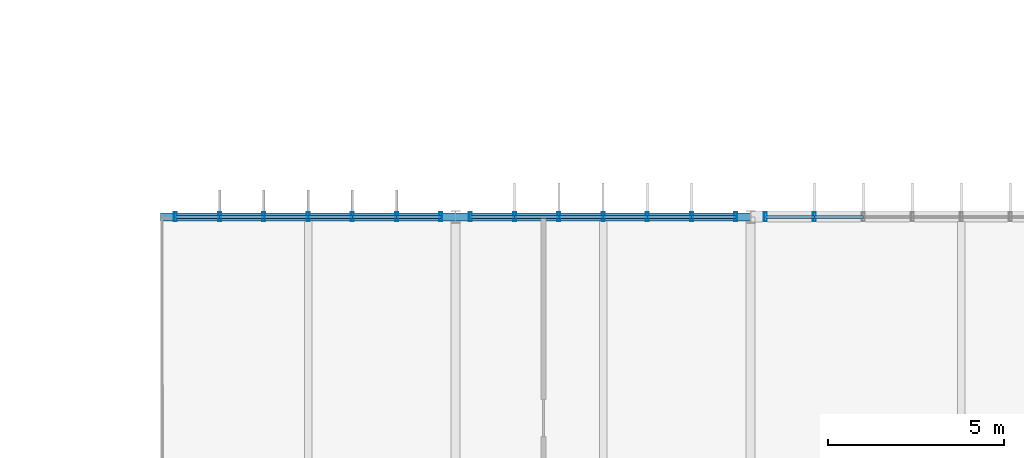
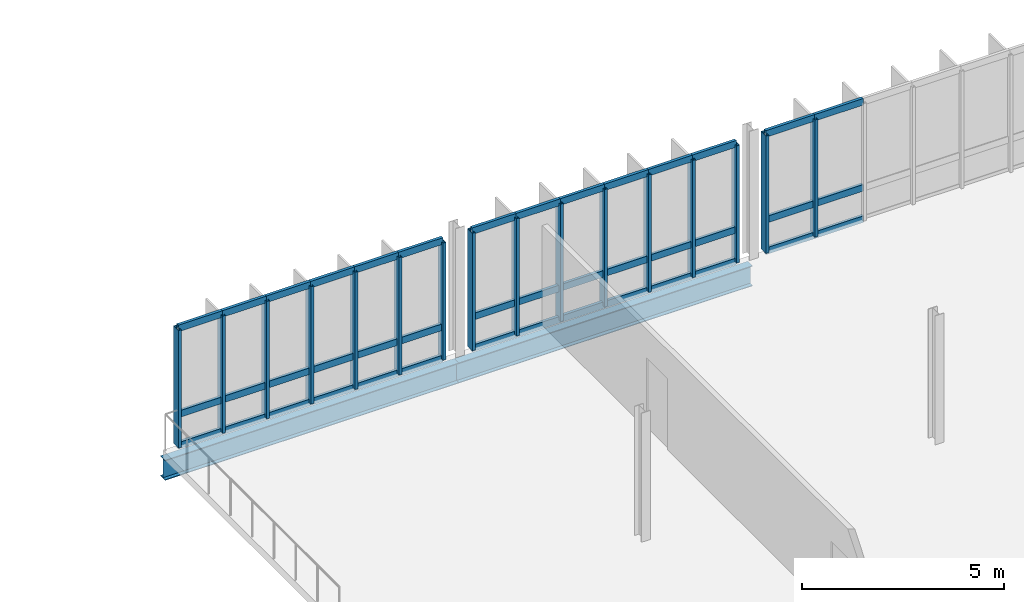
# One storey, part 37 of 61: 58 members, 2 beams, 3 elements without a shape of their own.
"""IFC4 building model written with IfcOpenShell, lengths in metres."""

import ifcopenshell
import ifcopenshell.guid

model = None  # the IFC model being written
_history = None  # IfcOwnerHistory: only IFC2X3 demands one
_inside = {}  # id of a spatial element -> (the spatial element, [elements in it])
_under = {}  # id of a project, library or spatial element -> (it, [spatial elements below it])
_declared = {}  # id of a project -> (the project, [libraries it declares])
_typed = {}  # id of a type object -> (the type object, [elements of that type])
_made_of = {}  # id of a material, layer set ... -> (it, [elements and type objects made of it])


def new_model(schema):
    """Start an empty IFC model of exactly this schema.

    Asked for "IFC4X3", IfcOpenShell would pick the latest addendum, in which some entities
    have other attributes; the version numbers below select the first issue.
    IFC2X3 requires an IfcOwnerHistory on every rooted entity: one is made here for all.
    """
    global model, _history
    if schema == "IFC4X3":
        model = ifcopenshell.file(schema_version=(4, 3, 0, 0))
    else:
        model = ifcopenshell.file(schema=schema)
    _inside.clear()
    _under.clear()
    _declared.clear()
    _typed.clear()
    _made_of.clear()
    _history = None
    if model.schema == "IFC2X3":
        org = make("IfcOrganization", Name="unknown")
        user = make(
            "IfcPersonAndOrganization",
            ThePerson=make("IfcPerson", FamilyName="unknown"),
            TheOrganization=org,
        )
        app = make(
            "IfcApplication",
            ApplicationDeveloper=org,
            Version="unknown",
            ApplicationFullName="unknown",
            ApplicationIdentifier="unknown",
        )
        _history = make(
            "IfcOwnerHistory",
            OwningUser=user,
            OwningApplication=app,
            ChangeAction="ADDED",
            CreationDate=0,
        )
    return model


def make(cls, **values):
    """One entity of the class cls with the attributes given. An attribute that is None is left unset."""
    return model.create_entity(
        cls, **{name: value for name, value in values.items() if value is not None}
    )


def rooted(cls, **values):
    """An entity with a GlobalId (a new one), such as an element, a storey or a relation."""
    return make(cls, GlobalId=ifcopenshell.guid.new(), OwnerHistory=_history, **values)


def si_unit(unit_type, name, prefix=None):
    """IfcSIUnit, for example si_unit("LENGTHUNIT", "METRE", prefix="MILLI")."""
    return make("IfcSIUnit", UnitType=unit_type, Prefix=prefix, Name=name)


def derived_unit(unit_type, elements):
    """IfcDerivedUnit: a product of units, each with its exponent."""
    return make(
        "IfcDerivedUnit",
        Elements=[
            make("IfcDerivedUnitElement", Unit=unit, Exponent=power)
            for unit, power in elements
        ],
        UnitType=unit_type,
    )


def assignment(units):
    """IfcUnitAssignment: the units of a project."""
    return None if units is None else make("IfcUnitAssignment", Units=units)


def point(xyz):
    """IfcCartesianPoint."""
    return None if xyz is None else make("IfcCartesianPoint", Coordinates=xyz)


def direction(xyz):
    """IfcDirection."""
    return None if xyz is None else make("IfcDirection", DirectionRatios=xyz)


def frame(location, z_axis=None, x_axis=None):
    """IfcAxis2Placement3D, a coordinate frame: its origin and axes. An axis left out is left unset."""
    return make(
        "IfcAxis2Placement3D",
        Location=point(location),
        Axis=direction(z_axis),
        RefDirection=direction(x_axis),
    )


def frame_2d(location, x_axis=None):
    """IfcAxis2Placement2D, a coordinate frame in the plane: its origin and x axis."""
    return make(
        "IfcAxis2Placement2D", Location=point(location), RefDirection=direction(x_axis)
    )


def origin():
    """The frame at (0, 0, 0) with its axes left unset."""
    return frame((0.0, 0.0, 0.0))


def origin_2d():
    """The frame at (0, 0) in the plane with its x axis left unset."""
    return frame_2d((0.0, 0.0))


def place(relative_to, where):
    """IfcLocalPlacement: puts the frame where relative to a parent placement (None: the world)."""
    return make(
        "IfcLocalPlacement", PlacementRelTo=relative_to, RelativePlacement=where
    )


def context(
    kind, dimensions, precision=None, world=None, true_north=None, identifier=None
):
    """IfcGeometricRepresentationContext, for example the 3D "Model" context."""
    return make(
        "IfcGeometricRepresentationContext",
        ContextIdentifier=identifier,
        ContextType=kind,
        CoordinateSpaceDimension=dimensions,
        Precision=precision,
        WorldCoordinateSystem=world,
        TrueNorth=true_north,
    )


def subcontext(parent, identifier, kind, view, scale=None):
    """IfcGeometricRepresentationSubContext, for example "Body" below "Model"."""
    return make(
        "IfcGeometricRepresentationSubContext",
        ContextIdentifier=identifier,
        ContextType=kind,
        ParentContext=parent,
        TargetScale=scale,
        TargetView=view,
    )


def project(units=None, contexts=None):
    """IfcProject with its units and contexts."""
    return rooted(
        "IfcProject",
        Name="project",
        RepresentationContexts=contexts,
        UnitsInContext=assignment(units),
    )


def spatial(cls, under=None, at=None, **own):
    """A site, building, storey or space (cls), placed at a placement, below another one or the project."""
    s = rooted(cls, ObjectPlacement=at, **own)
    if under is not None:
        _under.setdefault(under.id(), (under, []))[1].append(s)
    return s


def profile(cls, at=None, kind="AREA", **sizes):
    """A parametric profile (cls). Its sizes go by their IFC names, for example OverallWidth=200.0."""
    return make(cls, ProfileType=kind, Position=at, **sizes)


def hollow_rectangle(**sizes):
    """IfcRectangleHollowProfileDef."""
    return profile("IfcRectangleHollowProfileDef", **sizes)


def i_section(**sizes):
    """IfcIShapeProfileDef."""
    return profile("IfcIShapeProfileDef", **sizes)


def extrude(swept, where, along, depth):
    """IfcExtrudedAreaSolid: the profile swept, set in the frame where, extruded along a direction by depth."""
    return make(
        "IfcExtrudedAreaSolid",
        SweptArea=swept,
        Position=where,
        ExtrudedDirection=direction(along),
        Depth=depth,
    )


def shape(context_of_items, identifier, shape_type, items):
    """IfcShapeRepresentation: the items that make up one representation, for example the "Body"."""
    return make(
        "IfcShapeRepresentation",
        ContextOfItems=context_of_items,
        RepresentationIdentifier=identifier,
        RepresentationType=shape_type,
        Items=items,
    )


def material(Name=None, Category=None):
    """IfcMaterial."""
    return make("IfcMaterial", Name=Name, Category=Category)


def layer(
    of_material, thickness, ventilated=None, Name=None, Category=None, Priority=None
):
    """IfcMaterialLayer: one layer of a wall or slab, of a material (None: an air gap)."""
    return make(
        "IfcMaterialLayer",
        Material=of_material,
        LayerThickness=thickness,
        IsVentilated=ventilated,
        Name=Name,
        Category=Category,
        Priority=Priority,
    )


def layer_set(layers, Name=None):
    """IfcMaterialLayerSet."""
    return make("IfcMaterialLayerSet", MaterialLayers=layers, LayerSetName=Name)


def material_profile(
    of_material, cross_section, Name=None, Category=None, Priority=None
):
    """IfcMaterialProfile: a cross section and its material."""
    return make(
        "IfcMaterialProfile",
        Name=Name,
        Material=of_material,
        Profile=cross_section,
        Priority=Priority,
        Category=Category,
    )


def profile_set(profiles, Name=None, composite=None):
    """IfcMaterialProfileSet."""
    return make(
        "IfcMaterialProfileSet",
        Name=Name,
        MaterialProfiles=profiles,
        CompositeProfile=composite,
    )


def made_of(thing, what):
    """Note that an element or type object is made of a material, layer set ...; save() writes the relation."""
    if what is not None:
        _made_of.setdefault(what.id(), (what, []))[1].append(thing)
    return thing


def type_object(cls, material=None, **own):
    """A type object (cls), such as IfcWallType, which elements share."""
    return made_of(rooted(cls, **own), material)


def element(
    cls,
    number,
    at=None,
    inside=None,
    cuts=None,
    type_object=None,
    material=None,
    context=None,
    identifier="Body",
    shape_type=None,
    held_by="IfcProductDefinitionShape",
    body=None,
    shapes=None,
    **own,
):
    """One element of the class cls, such as IfcWall. Its Tag is "e" and its number.

    at: its placement. inside: the storey or other place that contains it. cuts: it is an
    opening in that element (IfcRelVoidsElement). A single representation is given by context,
    identifier, shape_type and body (its items); several are given by shapes. held_by: the class
    of the entity that holds the representations. save() writes the other relations.
    """
    e = rooted(cls, Tag="e%d" % number, ObjectPlacement=at, **own)
    if body is not None:
        shapes = [shape(context, identifier, shape_type, body)]
    if shapes is not None:
        e.Representation = make(held_by, Representations=shapes)
    if inside is not None:
        _inside.setdefault(inside.id(), (inside, []))[1].append(e)
    if cuts is not None:
        rooted(
            "IfcRelVoidsElement", RelatingBuildingElement=cuts, RelatedOpeningElement=e
        )
    if type_object is not None:
        _typed.setdefault(type_object.id(), (type_object, []))[1].append(e)
    return made_of(e, material)


def aggregate(whole, parts):
    """IfcRelAggregates: a whole, such as a stair, and the parts it consists of."""
    return rooted("IfcRelAggregates", RelatingObject=whole, RelatedObjects=parts)


def save(model, path):
    """Write the relations noted so far, then the file.

    IfcRelAggregates (storeys below a building ...), IfcRelContainedInSpatialStructure (elements
    in a storey), IfcRelDefinesByType, IfcRelAssociatesMaterial and IfcRelDeclares: one each for
    every whole, place, type object, material and project.
    """
    for whole, parts in _under.values():
        aggregate(whole, parts)
    for where, things in _inside.values():
        rooted(
            "IfcRelContainedInSpatialStructure",
            RelatedElements=things,
            RelatingStructure=where,
        )
    for kind, things in _typed.values():
        rooted("IfcRelDefinesByType", RelatedObjects=things, RelatingType=kind)
    for what, things in _made_of.values():
        rooted("IfcRelAssociatesMaterial", RelatedObjects=things, RelatingMaterial=what)
    for by, libraries in _declared.values():
        rooted("IfcRelDeclares", RelatingContext=by, RelatedDefinitions=libraries)
    model.write(path)


model = new_model("IFC4")

# Units and contexts
model_context = context("Model", 3, precision=1e-05, world=origin(), true_north=direction((0.0, 1.0)))
body_context = subcontext(model_context, "Body", "Model", "MODEL_VIEW")
ifc_project = project(units=[si_unit("LENGTHUNIT", "METRE"), si_unit("AREAUNIT", "SQUARE_METRE"), si_unit("VOLUMEUNIT", "CUBIC_METRE"), si_unit("PLANEANGLEUNIT", "RADIAN"), si_unit("MASSUNIT", "GRAM", prefix="KILO"), derived_unit("THERMALTRANSMITTANCEUNIT", [(si_unit("MASSUNIT", "GRAM", prefix="KILO"), 1), (si_unit("TIMEUNIT", "SECOND"), -3), (si_unit("THERMODYNAMICTEMPERATUREUNIT", "KELVIN"), -1)])], contexts=[model_context])

# Site, building, storey
site_placement = place(None, origin())
site = spatial("IfcSite", under=ifc_project, at=site_placement, CompositionType="ELEMENT")
building_placement = place(site_placement, origin())
building = spatial("IfcBuilding", under=site, at=building_placement, Name="Makaiwela Harbour Ferry Terminal", CompositionType="ELEMENT")
storey_placement = place(building_placement, frame((0.0, 0.0, 13.800048828125)))
storey = spatial("IfcBuildingStorey", under=building, at=storey_placement, Name="L03", CompositionType="ELEMENT", Elevation=13.800048828125)

# Curtain wall, members
ifc_material_1 = material(Name="Marine anodised aluminium 6063-T6", Category="aluminium")
ifc_layer_1 = layer(ifc_material_1, 0.199951171875)
ifc_layer_set_1 = layer_set([ifc_layer_1], Name="Marine anodised aluminium 6063-T6")
curtain_wall_type_1 = type_object("IfcCurtainWallType", Name="ENV-CW-15", PredefinedType="USERDEFINED", material=ifc_layer_set_1)
curtain_wall_1_placement = place(storey_placement, origin())
curtain_wall_1 = element("IfcCurtainWall", 1, at=curtain_wall_1_placement, inside=storey, type_object=curtain_wall_type_1, Name="Unitised Curtain Wall CWA-123", ObjectType="UNITIZED CURTAIN WALL", PredefinedType="USERDEFINED")
ifc_material_profile_1 = material_profile(ifc_material_1, hollow_rectangle(XDim=0.0849609375, YDim=0.25, WallThickness=0.0048828125, at=origin_2d()), Name="CWM-250X85")
ifc_profile_set_1 = profile_set([ifc_material_profile_1], Name="Marine anodised aluminium 6063-T6")
member_type_1 = type_object("IfcMemberType", Name="CW-MUL-250", PredefinedType="MULLION", material=ifc_profile_set_1)
member_1_placement = place(storey_placement, frame((139.02001953125, 95.0, 0.0), z_axis=(0.0, 0.0, 1.0), x_axis=(1.0, 0.0, 0.0)))
member_1 = element("IfcMember", 2, at=member_1_placement, type_object=member_type_1, Name="Curtain Wall Mullion CWA-123-1", PredefinedType="MULLION", context=body_context, shape_type="SweptSolid", body=[
    extrude(hollow_rectangle(XDim=0.0849609375, YDim=0.25, WallThickness=0.0048828125, at=origin_2d()), origin(), (0.0, 0.0, 1.0), 3.550048828125),
])
member_2_placement = place(storey_placement, frame((140.280029296875, 95.0, 0.0), z_axis=(0.0, 0.0, 1.0), x_axis=(1.0, 0.0, 0.0)))
member_2 = element("IfcMember", 3, at=member_2_placement, type_object=member_type_1, Name="Curtain Wall Mullion CWA-123-2", PredefinedType="MULLION", context=body_context, shape_type="SweptSolid", body=[
    extrude(hollow_rectangle(XDim=0.0849609375, YDim=0.25, WallThickness=0.0048828125, at=origin_2d()), origin(), (0.0, 0.0, 1.0), 3.550048828125),
])
member_3_placement = place(storey_placement, frame((141.5400390625, 95.0, 0.0), z_axis=(0.0, 0.0, 1.0), x_axis=(1.0, 0.0, 0.0)))
member_3 = element("IfcMember", 4, at=member_3_placement, type_object=member_type_1, Name="Curtain Wall Mullion CWA-123-3", PredefinedType="MULLION", context=body_context, shape_type="SweptSolid", body=[
    extrude(hollow_rectangle(XDim=0.0849609375, YDim=0.25, WallThickness=0.0048828125, at=origin_2d()), origin(), (0.0, 0.0, 1.0), 3.550048828125),
])
member_4_placement = place(storey_placement, frame((142.800048828125, 95.0, 0.0), z_axis=(0.0, 0.0, 1.0), x_axis=(1.0, 0.0, 0.0)))
member_4 = element("IfcMember", 5, at=member_4_placement, type_object=member_type_1, Name="Curtain Wall Mullion CWA-123-4", PredefinedType="MULLION", context=body_context, shape_type="SweptSolid", body=[
    extrude(hollow_rectangle(XDim=0.0849609375, YDim=0.25, WallThickness=0.0048828125, at=origin_2d()), origin(), (0.0, 0.0, 1.0), 3.550048828125),
])
member_5_placement = place(storey_placement, frame((144.06005859375, 95.0, 0.0), z_axis=(0.0, 0.0, 1.0), x_axis=(1.0, 0.0, 0.0)))
member_5 = element("IfcMember", 6, at=member_5_placement, type_object=member_type_1, Name="Curtain Wall Mullion CWA-123-5", PredefinedType="MULLION", context=body_context, shape_type="SweptSolid", body=[
    extrude(hollow_rectangle(XDim=0.0849609375, YDim=0.25, WallThickness=0.0048828125, at=origin_2d()), origin(), (0.0, 0.0, 1.0), 3.550048828125),
])
member_6_placement = place(storey_placement, frame((145.320068359375, 95.0, 0.0), z_axis=(0.0, 0.0, 1.0), x_axis=(1.0, 0.0, 0.0)))
member_6 = element("IfcMember", 7, at=member_6_placement, type_object=member_type_1, Name="Curtain Wall Mullion CWA-123-6", PredefinedType="MULLION", context=body_context, shape_type="SweptSolid", body=[
    extrude(hollow_rectangle(XDim=0.0849609375, YDim=0.25, WallThickness=0.0048828125, at=origin_2d()), origin(), (0.0, 0.0, 1.0), 3.550048828125),
])
member_7_placement = place(storey_placement, frame((146.580078125, 95.0, 0.0), z_axis=(0.0, 0.0, 1.0), x_axis=(1.0, 0.0, 0.0)))
member_7 = element("IfcMember", 8, at=member_7_placement, type_object=member_type_1, Name="Curtain Wall Mullion CWA-123-7", PredefinedType="MULLION", context=body_context, shape_type="SweptSolid", body=[
    extrude(hollow_rectangle(XDim=0.0849609375, YDim=0.25, WallThickness=0.0048828125, at=origin_2d()), origin(), (0.0, 0.0, 1.0), 3.550048828125),
])

curtain_wall_2_placement = place(storey_placement, origin())
curtain_wall_2 = element("IfcCurtainWall", 9, at=curtain_wall_2_placement, inside=storey, type_object=curtain_wall_type_1, Name="Unitised Curtain Wall CWA-127", ObjectType="UNITIZED CURTAIN WALL", PredefinedType="USERDEFINED")
member_8_placement = place(storey_placement, frame((147.419921875, 95.0, 0.0), z_axis=(0.0, 0.0, 1.0), x_axis=(1.0, 0.0, 0.0)))
member_8 = element("IfcMember", 10, at=member_8_placement, type_object=member_type_1, Name="Curtain Wall Mullion CWA-127-1", PredefinedType="MULLION", context=body_context, shape_type="SweptSolid", body=[
    extrude(hollow_rectangle(XDim=0.0849609375, YDim=0.25, WallThickness=0.0048828125, at=origin_2d()), origin(), (0.0, 0.0, 1.0), 3.550048828125),
])
member_9_placement = place(storey_placement, frame((148.679931640625, 95.0, 0.0), z_axis=(0.0, 0.0, 1.0), x_axis=(1.0, 0.0, 0.0)))
member_9 = element("IfcMember", 11, at=member_9_placement, type_object=member_type_1, Name="Curtain Wall Mullion CWA-127-2", PredefinedType="MULLION", context=body_context, shape_type="SweptSolid", body=[
    extrude(hollow_rectangle(XDim=0.0849609375, YDim=0.25, WallThickness=0.0048828125, at=origin_2d()), origin(), (0.0, 0.0, 1.0), 3.550048828125),
])
member_10_placement = place(storey_placement, frame((149.93994140625, 95.0, 0.0), z_axis=(0.0, 0.0, 1.0), x_axis=(1.0, 0.0, 0.0)))
member_10 = element("IfcMember", 12, at=member_10_placement, type_object=member_type_1, Name="Curtain Wall Mullion CWA-127-3", PredefinedType="MULLION", context=body_context, shape_type="SweptSolid", body=[
    extrude(hollow_rectangle(XDim=0.0849609375, YDim=0.25, WallThickness=0.0048828125, at=origin_2d()), origin(), (0.0, 0.0, 1.0), 3.550048828125),
])
member_11_placement = place(storey_placement, frame((151.199951171875, 95.0, 0.0), z_axis=(0.0, 0.0, 1.0), x_axis=(1.0, 0.0, 0.0)))
member_11 = element("IfcMember", 13, at=member_11_placement, type_object=member_type_1, Name="Curtain Wall Mullion CWA-127-4", PredefinedType="MULLION", context=body_context, shape_type="SweptSolid", body=[
    extrude(hollow_rectangle(XDim=0.0849609375, YDim=0.25, WallThickness=0.0048828125, at=origin_2d()), origin(), (0.0, 0.0, 1.0), 3.550048828125),
])
member_12_placement = place(storey_placement, frame((152.4599609375, 95.0, 0.0), z_axis=(0.0, 0.0, 1.0), x_axis=(1.0, 0.0, 0.0)))
member_12 = element("IfcMember", 14, at=member_12_placement, type_object=member_type_1, Name="Curtain Wall Mullion CWA-127-5", PredefinedType="MULLION", context=body_context, shape_type="SweptSolid", body=[
    extrude(hollow_rectangle(XDim=0.0849609375, YDim=0.25, WallThickness=0.0048828125, at=origin_2d()), origin(), (0.0, 0.0, 1.0), 3.550048828125),
])
member_13_placement = place(storey_placement, frame((153.719970703125, 95.0, 0.0), z_axis=(0.0, 0.0, 1.0), x_axis=(1.0, 0.0, 0.0)))
member_13 = element("IfcMember", 15, at=member_13_placement, type_object=member_type_1, Name="Curtain Wall Mullion CWA-127-6", PredefinedType="MULLION", context=body_context, shape_type="SweptSolid", body=[
    extrude(hollow_rectangle(XDim=0.0849609375, YDim=0.25, WallThickness=0.0048828125, at=origin_2d()), origin(), (0.0, 0.0, 1.0), 3.550048828125),
])
member_14_placement = place(storey_placement, frame((154.97998046875, 95.0, 0.0), z_axis=(0.0, 0.0, 1.0), x_axis=(1.0, 0.0, 0.0)))
member_14 = element("IfcMember", 16, at=member_14_placement, type_object=member_type_1, Name="Curtain Wall Mullion CWA-127-7", PredefinedType="MULLION", context=body_context, shape_type="SweptSolid", body=[
    extrude(hollow_rectangle(XDim=0.0849609375, YDim=0.25, WallThickness=0.0048828125, at=origin_2d()), origin(), (0.0, 0.0, 1.0), 3.550048828125),
])

ifc_layer_2 = layer(ifc_material_1, 0.199951171875)
ifc_layer_set_2 = layer_set([ifc_layer_2], Name="Marine anodised aluminium 6063-T6")
curtain_wall_type_2 = type_object("IfcCurtainWallType", Name="ENV-CW-19", PredefinedType="USERDEFINED", material=ifc_layer_set_2)
curtain_wall_3_placement = place(storey_placement, origin())
curtain_wall_3 = element("IfcCurtainWall", 17, at=curtain_wall_3_placement, inside=storey, type_object=curtain_wall_type_2, Name="Unitised Curtain Wall CWA-131", ObjectType="UNITIZED CURTAIN WALL", PredefinedType="USERDEFINED")
member_15_placement = place(storey_placement, frame((155.820068359375, 95.0, 0.0), z_axis=(0.0, 0.0, 1.0), x_axis=(1.0, 0.0, 0.0)))
member_15 = element("IfcMember", 18, at=member_15_placement, type_object=member_type_1, Name="Curtain Wall Mullion CWA-131-1", PredefinedType="MULLION", context=body_context, shape_type="SweptSolid", body=[
    extrude(hollow_rectangle(XDim=0.0849609375, YDim=0.25, WallThickness=0.0048828125, at=origin_2d()), origin(), (0.0, 0.0, 1.0), 3.550048828125),
])
member_16_placement = place(storey_placement, frame((157.215087890625, 95.0, 0.0), z_axis=(0.0, 0.0, 1.0), x_axis=(1.0, 0.0, 0.0)))
member_16 = element("IfcMember", 19, at=member_16_placement, type_object=member_type_1, Name="Curtain Wall Mullion CWA-131-2", PredefinedType="MULLION", context=body_context, shape_type="SweptSolid", body=[
    extrude(hollow_rectangle(XDim=0.0849609375, YDim=0.25, WallThickness=0.0048828125, at=origin_2d()), origin(), (0.0, 0.0, 1.0), 3.550048828125),
])

# Member
ifc_material_profile_2 = material_profile(ifc_material_1, hollow_rectangle(XDim=0.0849609375, YDim=0.199951171875, WallThickness=0.0048828125, at=origin_2d()), Name="CWT-200X85")
ifc_profile_set_2 = profile_set([ifc_material_profile_2], Name="Marine anodised aluminium 6063-T6")
member_type_2 = type_object("IfcMemberType", Name="CW-TRN-200", PredefinedType="USERDEFINED", material=ifc_profile_set_2)
member_17_placement = place(storey_placement, frame((139.02001953125, 95.0, 0.0), z_axis=(1.0, 0.0, 0.0), x_axis=(0.0, 1.0, 0.0)))
member_17 = element("IfcMember", 20, at=member_17_placement, type_object=member_type_2, Name="Curtain Wall Transom CWA-123-1-1", ObjectType="TRANSOM", PredefinedType="USERDEFINED", context=body_context, shape_type="SweptSolid", body=[
    extrude(hollow_rectangle(XDim=0.0849609375, YDim=0.199951171875, WallThickness=0.0048828125, at=origin_2d()), origin(), (0.0, 0.0, 1.0), 1.260009765625),
])

member_18_placement = place(storey_placement, frame((139.02001953125, 95.0, 0.949951171875), z_axis=(1.0, 0.0, 0.0), x_axis=(0.0, 1.0, 0.0)))
member_18 = element("IfcMember", 21, at=member_18_placement, type_object=member_type_2, Name="Curtain Wall Transom CWA-123-1-2", ObjectType="TRANSOM", PredefinedType="USERDEFINED", context=body_context, shape_type="SweptSolid", body=[
    extrude(hollow_rectangle(XDim=0.0849609375, YDim=0.199951171875, WallThickness=0.0048828125, at=origin_2d()), origin(), (0.0, 0.0, 1.0), 1.260009765625),
])

member_19_placement = place(storey_placement, frame((139.02001953125, 95.0, 3.550048828125), z_axis=(1.0, 0.0, 0.0), x_axis=(0.0, 1.0, 0.0)))
member_19 = element("IfcMember", 22, at=member_19_placement, type_object=member_type_2, Name="Curtain Wall Transom CWA-123-1-3", ObjectType="TRANSOM", PredefinedType="USERDEFINED", context=body_context, shape_type="SweptSolid", body=[
    extrude(hollow_rectangle(XDim=0.0849609375, YDim=0.199951171875, WallThickness=0.0048828125, at=origin_2d()), origin(), (0.0, 0.0, 1.0), 1.260009765625),
])

member_20_placement = place(storey_placement, frame((140.280029296875, 95.0, 0.0), z_axis=(1.0, 0.0, 0.0), x_axis=(0.0, 1.0, 0.0)))
member_20 = element("IfcMember", 23, at=member_20_placement, type_object=member_type_2, Name="Curtain Wall Transom CWA-123-2-1", ObjectType="TRANSOM", PredefinedType="USERDEFINED", context=body_context, shape_type="SweptSolid", body=[
    extrude(hollow_rectangle(XDim=0.0849609375, YDim=0.199951171875, WallThickness=0.0048828125, at=origin_2d()), origin(), (0.0, 0.0, 1.0), 1.260009765625),
])

member_21_placement = place(storey_placement, frame((140.280029296875, 95.0, 0.949951171875), z_axis=(1.0, 0.0, 0.0), x_axis=(0.0, 1.0, 0.0)))
member_21 = element("IfcMember", 24, at=member_21_placement, type_object=member_type_2, Name="Curtain Wall Transom CWA-123-2-2", ObjectType="TRANSOM", PredefinedType="USERDEFINED", context=body_context, shape_type="SweptSolid", body=[
    extrude(hollow_rectangle(XDim=0.0849609375, YDim=0.199951171875, WallThickness=0.0048828125, at=origin_2d()), origin(), (0.0, 0.0, 1.0), 1.260009765625),
])

member_22_placement = place(storey_placement, frame((140.280029296875, 95.0, 3.550048828125), z_axis=(1.0, 0.0, 0.0), x_axis=(0.0, 1.0, 0.0)))
member_22 = element("IfcMember", 25, at=member_22_placement, type_object=member_type_2, Name="Curtain Wall Transom CWA-123-2-3", ObjectType="TRANSOM", PredefinedType="USERDEFINED", context=body_context, shape_type="SweptSolid", body=[
    extrude(hollow_rectangle(XDim=0.0849609375, YDim=0.199951171875, WallThickness=0.0048828125, at=origin_2d()), origin(), (0.0, 0.0, 1.0), 1.260009765625),
])

member_23_placement = place(storey_placement, frame((141.5400390625, 95.0, 0.0), z_axis=(1.0, 0.0, 0.0), x_axis=(0.0, 1.0, 0.0)))
member_23 = element("IfcMember", 26, at=member_23_placement, type_object=member_type_2, Name="Curtain Wall Transom CWA-123-3-1", ObjectType="TRANSOM", PredefinedType="USERDEFINED", context=body_context, shape_type="SweptSolid", body=[
    extrude(hollow_rectangle(XDim=0.0849609375, YDim=0.199951171875, WallThickness=0.0048828125, at=origin_2d()), origin(), (0.0, 0.0, 1.0), 1.260009765625),
])

member_24_placement = place(storey_placement, frame((141.5400390625, 95.0, 0.949951171875), z_axis=(1.0, 0.0, 0.0), x_axis=(0.0, 1.0, 0.0)))
member_24 = element("IfcMember", 27, at=member_24_placement, type_object=member_type_2, Name="Curtain Wall Transom CWA-123-3-2", ObjectType="TRANSOM", PredefinedType="USERDEFINED", context=body_context, shape_type="SweptSolid", body=[
    extrude(hollow_rectangle(XDim=0.0849609375, YDim=0.199951171875, WallThickness=0.0048828125, at=origin_2d()), origin(), (0.0, 0.0, 1.0), 1.260009765625),
])

member_25_placement = place(storey_placement, frame((141.5400390625, 95.0, 3.550048828125), z_axis=(1.0, 0.0, 0.0), x_axis=(0.0, 1.0, 0.0)))
member_25 = element("IfcMember", 28, at=member_25_placement, type_object=member_type_2, Name="Curtain Wall Transom CWA-123-3-3", ObjectType="TRANSOM", PredefinedType="USERDEFINED", context=body_context, shape_type="SweptSolid", body=[
    extrude(hollow_rectangle(XDim=0.0849609375, YDim=0.199951171875, WallThickness=0.0048828125, at=origin_2d()), origin(), (0.0, 0.0, 1.0), 1.260009765625),
])

member_26_placement = place(storey_placement, frame((142.800048828125, 95.0, 0.0), z_axis=(1.0, 0.0, 0.0), x_axis=(0.0, 1.0, 0.0)))
member_26 = element("IfcMember", 29, at=member_26_placement, type_object=member_type_2, Name="Curtain Wall Transom CWA-123-4-1", ObjectType="TRANSOM", PredefinedType="USERDEFINED", context=body_context, shape_type="SweptSolid", body=[
    extrude(hollow_rectangle(XDim=0.0849609375, YDim=0.199951171875, WallThickness=0.0048828125, at=origin_2d()), origin(), (0.0, 0.0, 1.0), 1.260009765625),
])

member_27_placement = place(storey_placement, frame((142.800048828125, 95.0, 0.949951171875), z_axis=(1.0, 0.0, 0.0), x_axis=(0.0, 1.0, 0.0)))
member_27 = element("IfcMember", 30, at=member_27_placement, type_object=member_type_2, Name="Curtain Wall Transom CWA-123-4-2", ObjectType="TRANSOM", PredefinedType="USERDEFINED", context=body_context, shape_type="SweptSolid", body=[
    extrude(hollow_rectangle(XDim=0.0849609375, YDim=0.199951171875, WallThickness=0.0048828125, at=origin_2d()), origin(), (0.0, 0.0, 1.0), 1.260009765625),
])

member_28_placement = place(storey_placement, frame((142.800048828125, 95.0, 3.550048828125), z_axis=(1.0, 0.0, 0.0), x_axis=(0.0, 1.0, 0.0)))
member_28 = element("IfcMember", 31, at=member_28_placement, type_object=member_type_2, Name="Curtain Wall Transom CWA-123-4-3", ObjectType="TRANSOM", PredefinedType="USERDEFINED", context=body_context, shape_type="SweptSolid", body=[
    extrude(hollow_rectangle(XDim=0.0849609375, YDim=0.199951171875, WallThickness=0.0048828125, at=origin_2d()), origin(), (0.0, 0.0, 1.0), 1.260009765625),
])

member_29_placement = place(storey_placement, frame((144.06005859375, 95.0, 0.0), z_axis=(1.0, 0.0, 0.0), x_axis=(0.0, 1.0, 0.0)))
member_29 = element("IfcMember", 32, at=member_29_placement, type_object=member_type_2, Name="Curtain Wall Transom CWA-123-5-1", ObjectType="TRANSOM", PredefinedType="USERDEFINED", context=body_context, shape_type="SweptSolid", body=[
    extrude(hollow_rectangle(XDim=0.0849609375, YDim=0.199951171875, WallThickness=0.0048828125, at=origin_2d()), origin(), (0.0, 0.0, 1.0), 1.260009765625),
])

member_30_placement = place(storey_placement, frame((144.06005859375, 95.0, 0.949951171875), z_axis=(1.0, 0.0, 0.0), x_axis=(0.0, 1.0, 0.0)))
member_30 = element("IfcMember", 33, at=member_30_placement, type_object=member_type_2, Name="Curtain Wall Transom CWA-123-5-2", ObjectType="TRANSOM", PredefinedType="USERDEFINED", context=body_context, shape_type="SweptSolid", body=[
    extrude(hollow_rectangle(XDim=0.0849609375, YDim=0.199951171875, WallThickness=0.0048828125, at=origin_2d()), origin(), (0.0, 0.0, 1.0), 1.260009765625),
])

member_31_placement = place(storey_placement, frame((144.06005859375, 95.0, 3.550048828125), z_axis=(1.0, 0.0, 0.0), x_axis=(0.0, 1.0, 0.0)))
member_31 = element("IfcMember", 34, at=member_31_placement, type_object=member_type_2, Name="Curtain Wall Transom CWA-123-5-3", ObjectType="TRANSOM", PredefinedType="USERDEFINED", context=body_context, shape_type="SweptSolid", body=[
    extrude(hollow_rectangle(XDim=0.0849609375, YDim=0.199951171875, WallThickness=0.0048828125, at=origin_2d()), origin(), (0.0, 0.0, 1.0), 1.260009765625),
])

member_32_placement = place(storey_placement, frame((145.320068359375, 95.0, 0.0), z_axis=(1.0, 0.0, 0.0), x_axis=(0.0, 1.0, 0.0)))
member_32 = element("IfcMember", 35, at=member_32_placement, type_object=member_type_2, Name="Curtain Wall Transom CWA-123-6-1", ObjectType="TRANSOM", PredefinedType="USERDEFINED", context=body_context, shape_type="SweptSolid", body=[
    extrude(hollow_rectangle(XDim=0.0849609375, YDim=0.199951171875, WallThickness=0.0048828125, at=origin_2d()), origin(), (0.0, 0.0, 1.0), 1.260009765625),
])

member_33_placement = place(storey_placement, frame((145.320068359375, 95.0, 0.949951171875), z_axis=(1.0, 0.0, 0.0), x_axis=(0.0, 1.0, 0.0)))
member_33 = element("IfcMember", 36, at=member_33_placement, type_object=member_type_2, Name="Curtain Wall Transom CWA-123-6-2", ObjectType="TRANSOM", PredefinedType="USERDEFINED", context=body_context, shape_type="SweptSolid", body=[
    extrude(hollow_rectangle(XDim=0.0849609375, YDim=0.199951171875, WallThickness=0.0048828125, at=origin_2d()), origin(), (0.0, 0.0, 1.0), 1.260009765625),
])

member_34_placement = place(storey_placement, frame((145.320068359375, 95.0, 3.550048828125), z_axis=(1.0, 0.0, 0.0), x_axis=(0.0, 1.0, 0.0)))
member_34 = element("IfcMember", 37, at=member_34_placement, type_object=member_type_2, Name="Curtain Wall Transom CWA-123-6-3", ObjectType="TRANSOM", PredefinedType="USERDEFINED", context=body_context, shape_type="SweptSolid", body=[
    extrude(hollow_rectangle(XDim=0.0849609375, YDim=0.199951171875, WallThickness=0.0048828125, at=origin_2d()), origin(), (0.0, 0.0, 1.0), 1.260009765625),
])

aggregate(curtain_wall_1, [member_1, member_2, member_3, member_4, member_5, member_6, member_7, member_17, member_18, member_19, member_20, member_21, member_22, member_23, member_24, member_25, member_26, member_27, member_28, member_29, member_30, member_31, member_32, member_33, member_34])

member_35_placement = place(storey_placement, frame((147.419921875, 95.0, 0.0), z_axis=(1.0, 0.0, 0.0), x_axis=(0.0, 1.0, 0.0)))
member_35 = element("IfcMember", 38, at=member_35_placement, type_object=member_type_2, Name="Curtain Wall Transom CWA-127-1-1", ObjectType="TRANSOM", PredefinedType="USERDEFINED", context=body_context, shape_type="SweptSolid", body=[
    extrude(hollow_rectangle(XDim=0.0849609375, YDim=0.199951171875, WallThickness=0.0048828125, at=origin_2d()), origin(), (0.0, 0.0, 1.0), 1.260009765625),
])

member_36_placement = place(storey_placement, frame((147.419921875, 95.0, 0.949951171875), z_axis=(1.0, 0.0, 0.0), x_axis=(0.0, 1.0, 0.0)))
member_36 = element("IfcMember", 39, at=member_36_placement, type_object=member_type_2, Name="Curtain Wall Transom CWA-127-1-2", ObjectType="TRANSOM", PredefinedType="USERDEFINED", context=body_context, shape_type="SweptSolid", body=[
    extrude(hollow_rectangle(XDim=0.0849609375, YDim=0.199951171875, WallThickness=0.0048828125, at=origin_2d()), origin(), (0.0, 0.0, 1.0), 1.260009765625),
])

member_37_placement = place(storey_placement, frame((147.419921875, 95.0, 3.550048828125), z_axis=(1.0, 0.0, 0.0), x_axis=(0.0, 1.0, 0.0)))
member_37 = element("IfcMember", 40, at=member_37_placement, type_object=member_type_2, Name="Curtain Wall Transom CWA-127-1-3", ObjectType="TRANSOM", PredefinedType="USERDEFINED", context=body_context, shape_type="SweptSolid", body=[
    extrude(hollow_rectangle(XDim=0.0849609375, YDim=0.199951171875, WallThickness=0.0048828125, at=origin_2d()), origin(), (0.0, 0.0, 1.0), 1.260009765625),
])

member_38_placement = place(storey_placement, frame((148.679931640625, 95.0, 0.0), z_axis=(1.0, 0.0, 0.0), x_axis=(0.0, 1.0, 0.0)))
member_38 = element("IfcMember", 41, at=member_38_placement, type_object=member_type_2, Name="Curtain Wall Transom CWA-127-2-1", ObjectType="TRANSOM", PredefinedType="USERDEFINED", context=body_context, shape_type="SweptSolid", body=[
    extrude(hollow_rectangle(XDim=0.0849609375, YDim=0.199951171875, WallThickness=0.0048828125, at=origin_2d()), origin(), (0.0, 0.0, 1.0), 1.260009765625),
])

member_39_placement = place(storey_placement, frame((148.679931640625, 95.0, 0.949951171875), z_axis=(1.0, 0.0, 0.0), x_axis=(0.0, 1.0, 0.0)))
member_39 = element("IfcMember", 42, at=member_39_placement, type_object=member_type_2, Name="Curtain Wall Transom CWA-127-2-2", ObjectType="TRANSOM", PredefinedType="USERDEFINED", context=body_context, shape_type="SweptSolid", body=[
    extrude(hollow_rectangle(XDim=0.0849609375, YDim=0.199951171875, WallThickness=0.0048828125, at=origin_2d()), origin(), (0.0, 0.0, 1.0), 1.260009765625),
])

member_40_placement = place(storey_placement, frame((148.679931640625, 95.0, 3.550048828125), z_axis=(1.0, 0.0, 0.0), x_axis=(0.0, 1.0, 0.0)))
member_40 = element("IfcMember", 43, at=member_40_placement, type_object=member_type_2, Name="Curtain Wall Transom CWA-127-2-3", ObjectType="TRANSOM", PredefinedType="USERDEFINED", context=body_context, shape_type="SweptSolid", body=[
    extrude(hollow_rectangle(XDim=0.0849609375, YDim=0.199951171875, WallThickness=0.0048828125, at=origin_2d()), origin(), (0.0, 0.0, 1.0), 1.260009765625),
])

member_41_placement = place(storey_placement, frame((149.93994140625, 95.0, 0.0), z_axis=(1.0, 0.0, 0.0), x_axis=(0.0, 1.0, 0.0)))
member_41 = element("IfcMember", 44, at=member_41_placement, type_object=member_type_2, Name="Curtain Wall Transom CWA-127-3-1", ObjectType="TRANSOM", PredefinedType="USERDEFINED", context=body_context, shape_type="SweptSolid", body=[
    extrude(hollow_rectangle(XDim=0.0849609375, YDim=0.199951171875, WallThickness=0.0048828125, at=origin_2d()), origin(), (0.0, 0.0, 1.0), 1.260009765625),
])

member_42_placement = place(storey_placement, frame((149.93994140625, 95.0, 0.949951171875), z_axis=(1.0, 0.0, 0.0), x_axis=(0.0, 1.0, 0.0)))
member_42 = element("IfcMember", 45, at=member_42_placement, type_object=member_type_2, Name="Curtain Wall Transom CWA-127-3-2", ObjectType="TRANSOM", PredefinedType="USERDEFINED", context=body_context, shape_type="SweptSolid", body=[
    extrude(hollow_rectangle(XDim=0.0849609375, YDim=0.199951171875, WallThickness=0.0048828125, at=origin_2d()), origin(), (0.0, 0.0, 1.0), 1.260009765625),
])

member_43_placement = place(storey_placement, frame((149.93994140625, 95.0, 3.550048828125), z_axis=(1.0, 0.0, 0.0), x_axis=(0.0, 1.0, 0.0)))
member_43 = element("IfcMember", 46, at=member_43_placement, type_object=member_type_2, Name="Curtain Wall Transom CWA-127-3-3", ObjectType="TRANSOM", PredefinedType="USERDEFINED", context=body_context, shape_type="SweptSolid", body=[
    extrude(hollow_rectangle(XDim=0.0849609375, YDim=0.199951171875, WallThickness=0.0048828125, at=origin_2d()), origin(), (0.0, 0.0, 1.0), 1.260009765625),
])

member_44_placement = place(storey_placement, frame((151.199951171875, 95.0, 0.0), z_axis=(1.0, 0.0, 0.0), x_axis=(0.0, 1.0, 0.0)))
member_44 = element("IfcMember", 47, at=member_44_placement, type_object=member_type_2, Name="Curtain Wall Transom CWA-127-4-1", ObjectType="TRANSOM", PredefinedType="USERDEFINED", context=body_context, shape_type="SweptSolid", body=[
    extrude(hollow_rectangle(XDim=0.0849609375, YDim=0.199951171875, WallThickness=0.0048828125, at=origin_2d()), origin(), (0.0, 0.0, 1.0), 1.260009765625),
])

member_45_placement = place(storey_placement, frame((151.199951171875, 95.0, 0.949951171875), z_axis=(1.0, 0.0, 0.0), x_axis=(0.0, 1.0, 0.0)))
member_45 = element("IfcMember", 48, at=member_45_placement, type_object=member_type_2, Name="Curtain Wall Transom CWA-127-4-2", ObjectType="TRANSOM", PredefinedType="USERDEFINED", context=body_context, shape_type="SweptSolid", body=[
    extrude(hollow_rectangle(XDim=0.0849609375, YDim=0.199951171875, WallThickness=0.0048828125, at=origin_2d()), origin(), (0.0, 0.0, 1.0), 1.260009765625),
])

member_46_placement = place(storey_placement, frame((151.199951171875, 95.0, 3.550048828125), z_axis=(1.0, 0.0, 0.0), x_axis=(0.0, 1.0, 0.0)))
member_46 = element("IfcMember", 49, at=member_46_placement, type_object=member_type_2, Name="Curtain Wall Transom CWA-127-4-3", ObjectType="TRANSOM", PredefinedType="USERDEFINED", context=body_context, shape_type="SweptSolid", body=[
    extrude(hollow_rectangle(XDim=0.0849609375, YDim=0.199951171875, WallThickness=0.0048828125, at=origin_2d()), origin(), (0.0, 0.0, 1.0), 1.260009765625),
])

member_47_placement = place(storey_placement, frame((152.4599609375, 95.0, 0.0), z_axis=(1.0, 0.0, 0.0), x_axis=(0.0, 1.0, 0.0)))
member_47 = element("IfcMember", 50, at=member_47_placement, type_object=member_type_2, Name="Curtain Wall Transom CWA-127-5-1", ObjectType="TRANSOM", PredefinedType="USERDEFINED", context=body_context, shape_type="SweptSolid", body=[
    extrude(hollow_rectangle(XDim=0.0849609375, YDim=0.199951171875, WallThickness=0.0048828125, at=origin_2d()), origin(), (0.0, 0.0, 1.0), 1.260009765625),
])

member_48_placement = place(storey_placement, frame((152.4599609375, 95.0, 0.949951171875), z_axis=(1.0, 0.0, 0.0), x_axis=(0.0, 1.0, 0.0)))
member_48 = element("IfcMember", 51, at=member_48_placement, type_object=member_type_2, Name="Curtain Wall Transom CWA-127-5-2", ObjectType="TRANSOM", PredefinedType="USERDEFINED", context=body_context, shape_type="SweptSolid", body=[
    extrude(hollow_rectangle(XDim=0.0849609375, YDim=0.199951171875, WallThickness=0.0048828125, at=origin_2d()), origin(), (0.0, 0.0, 1.0), 1.260009765625),
])

member_49_placement = place(storey_placement, frame((152.4599609375, 95.0, 3.550048828125), z_axis=(1.0, 0.0, 0.0), x_axis=(0.0, 1.0, 0.0)))
member_49 = element("IfcMember", 52, at=member_49_placement, type_object=member_type_2, Name="Curtain Wall Transom CWA-127-5-3", ObjectType="TRANSOM", PredefinedType="USERDEFINED", context=body_context, shape_type="SweptSolid", body=[
    extrude(hollow_rectangle(XDim=0.0849609375, YDim=0.199951171875, WallThickness=0.0048828125, at=origin_2d()), origin(), (0.0, 0.0, 1.0), 1.260009765625),
])

member_50_placement = place(storey_placement, frame((153.719970703125, 95.0, 0.0), z_axis=(1.0, 0.0, 0.0), x_axis=(0.0, 1.0, 0.0)))
member_50 = element("IfcMember", 53, at=member_50_placement, type_object=member_type_2, Name="Curtain Wall Transom CWA-127-6-1", ObjectType="TRANSOM", PredefinedType="USERDEFINED", context=body_context, shape_type="SweptSolid", body=[
    extrude(hollow_rectangle(XDim=0.0849609375, YDim=0.199951171875, WallThickness=0.0048828125, at=origin_2d()), origin(), (0.0, 0.0, 1.0), 1.260009765625),
])

member_51_placement = place(storey_placement, frame((153.719970703125, 95.0, 0.949951171875), z_axis=(1.0, 0.0, 0.0), x_axis=(0.0, 1.0, 0.0)))
member_51 = element("IfcMember", 54, at=member_51_placement, type_object=member_type_2, Name="Curtain Wall Transom CWA-127-6-2", ObjectType="TRANSOM", PredefinedType="USERDEFINED", context=body_context, shape_type="SweptSolid", body=[
    extrude(hollow_rectangle(XDim=0.0849609375, YDim=0.199951171875, WallThickness=0.0048828125, at=origin_2d()), origin(), (0.0, 0.0, 1.0), 1.260009765625),
])

member_52_placement = place(storey_placement, frame((153.719970703125, 95.0, 3.550048828125), z_axis=(1.0, 0.0, 0.0), x_axis=(0.0, 1.0, 0.0)))
member_52 = element("IfcMember", 55, at=member_52_placement, type_object=member_type_2, Name="Curtain Wall Transom CWA-127-6-3", ObjectType="TRANSOM", PredefinedType="USERDEFINED", context=body_context, shape_type="SweptSolid", body=[
    extrude(hollow_rectangle(XDim=0.0849609375, YDim=0.199951171875, WallThickness=0.0048828125, at=origin_2d()), origin(), (0.0, 0.0, 1.0), 1.260009765625),
])

aggregate(curtain_wall_2, [member_8, member_9, member_10, member_11, member_12, member_13, member_14, member_35, member_36, member_37, member_38, member_39, member_40, member_41, member_42, member_43, member_44, member_45, member_46, member_47, member_48, member_49, member_50, member_51, member_52])

member_53_placement = place(storey_placement, frame((155.820068359375, 95.0, 0.0), z_axis=(1.0, 0.0, 0.0), x_axis=(0.0, 1.0, 0.0)))
member_53 = element("IfcMember", 56, at=member_53_placement, type_object=member_type_2, Name="Curtain Wall Transom CWA-131-1-1", ObjectType="TRANSOM", PredefinedType="USERDEFINED", context=body_context, shape_type="SweptSolid", body=[
    extrude(hollow_rectangle(XDim=0.0849609375, YDim=0.199951171875, WallThickness=0.0048828125, at=origin_2d()), origin(), (0.0, 0.0, 1.0), 1.39501953125),
])

member_54_placement = place(storey_placement, frame((155.820068359375, 95.0, 0.949951171875), z_axis=(1.0, 0.0, 0.0), x_axis=(0.0, 1.0, 0.0)))
member_54 = element("IfcMember", 57, at=member_54_placement, type_object=member_type_2, Name="Curtain Wall Transom CWA-131-1-2", ObjectType="TRANSOM", PredefinedType="USERDEFINED", context=body_context, shape_type="SweptSolid", body=[
    extrude(hollow_rectangle(XDim=0.0849609375, YDim=0.199951171875, WallThickness=0.0048828125, at=origin_2d()), origin(), (0.0, 0.0, 1.0), 1.39501953125),
])

member_55_placement = place(storey_placement, frame((155.820068359375, 95.0, 3.550048828125), z_axis=(1.0, 0.0, 0.0), x_axis=(0.0, 1.0, 0.0)))
member_55 = element("IfcMember", 58, at=member_55_placement, type_object=member_type_2, Name="Curtain Wall Transom CWA-131-1-3", ObjectType="TRANSOM", PredefinedType="USERDEFINED", context=body_context, shape_type="SweptSolid", body=[
    extrude(hollow_rectangle(XDim=0.0849609375, YDim=0.199951171875, WallThickness=0.0048828125, at=origin_2d()), origin(), (0.0, 0.0, 1.0), 1.39501953125),
])

member_56_placement = place(storey_placement, frame((157.215087890625, 95.0, 0.0), z_axis=(1.0, 0.0, 0.0), x_axis=(0.0, 1.0, 0.0)))
member_56 = element("IfcMember", 59, at=member_56_placement, type_object=member_type_2, Name="Curtain Wall Transom CWA-131-2-1", ObjectType="TRANSOM", PredefinedType="USERDEFINED", context=body_context, shape_type="SweptSolid", body=[
    extrude(hollow_rectangle(XDim=0.0849609375, YDim=0.199951171875, WallThickness=0.0048828125, at=origin_2d()), origin(), (0.0, 0.0, 1.0), 1.39501953125),
])

member_57_placement = place(storey_placement, frame((157.215087890625, 95.0, 0.949951171875), z_axis=(1.0, 0.0, 0.0), x_axis=(0.0, 1.0, 0.0)))
member_57 = element("IfcMember", 60, at=member_57_placement, type_object=member_type_2, Name="Curtain Wall Transom CWA-131-2-2", ObjectType="TRANSOM", PredefinedType="USERDEFINED", context=body_context, shape_type="SweptSolid", body=[
    extrude(hollow_rectangle(XDim=0.0849609375, YDim=0.199951171875, WallThickness=0.0048828125, at=origin_2d()), origin(), (0.0, 0.0, 1.0), 1.39501953125),
])

member_58_placement = place(storey_placement, frame((157.215087890625, 95.0, 3.550048828125), z_axis=(1.0, 0.0, 0.0), x_axis=(0.0, 1.0, 0.0)))
member_58 = element("IfcMember", 61, at=member_58_placement, type_object=member_type_2, Name="Curtain Wall Transom CWA-131-2-3", ObjectType="TRANSOM", PredefinedType="USERDEFINED", context=body_context, shape_type="SweptSolid", body=[
    extrude(hollow_rectangle(XDim=0.0849609375, YDim=0.199951171875, WallThickness=0.0048828125, at=origin_2d()), origin(), (0.0, 0.0, 1.0), 1.39501953125),
])

aggregate(curtain_wall_3, [member_15, member_16, member_53, member_54, member_55, member_56, member_57, member_58])

# Beams
ifc_material_2 = material(Name="Steel ASTM A992 Grade 50", Category="steel")
ifc_material_profile_3 = material_profile(ifc_material_2, i_section(OverallWidth=0.22900390625, OverallDepth=0.612060546875, WebThickness=0.011962890625, FlangeThickness=0.01953125, at=origin_2d()), Name="W24X84")
ifc_profile_set_3 = profile_set([ifc_material_profile_3], Name="Steel ASTM A992 Grade 50")
beam_type = type_object("IfcBeamType", Name="STR-GRD-W24X84", PredefinedType="USERDEFINED", material=ifc_profile_set_3)
for number, where, z_axis, x_axis, name in (
    (62, (138.60009765625, 95.0, -0.546142578125), (1.0, 0.0, 0.0), (0.0, 1.0, 0.0), "Primary X girder 1595"),
    (63, (147.0, 95.0, -0.546142578125), (1.0, 0.0, 0.0), (0.0, 1.0, 0.0), "Primary X girder 1596"),
):
    element("IfcBeam", number, at=place(storey_placement, frame(where, z_axis=z_axis, x_axis=x_axis)), inside=storey, type_object=beam_type, Name=name, ObjectType="GIRDER", PredefinedType="USERDEFINED", context=body_context, shape_type="SweptSolid", body=[
        extrude(i_section(OverallWidth=0.22900390625, OverallDepth=0.612060546875, WebThickness=0.011962890625, FlangeThickness=0.01953125, at=origin_2d()), origin(), (0.0, 0.0, 1.0), 8.39990234375),
    ])

save(model, "model.ifc")
